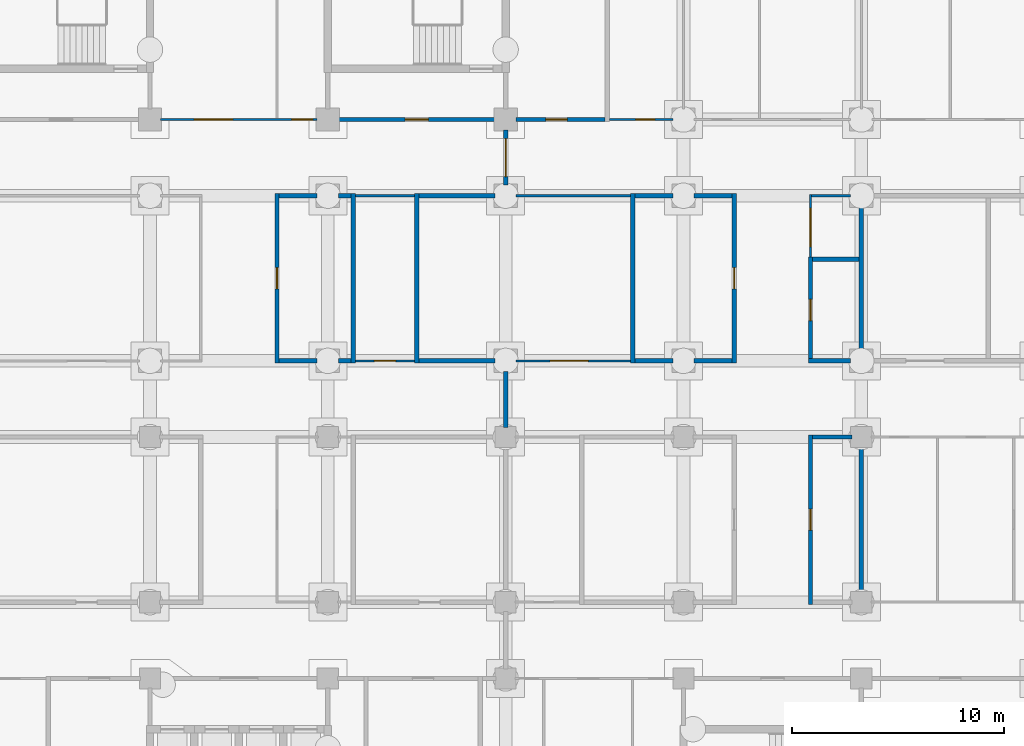
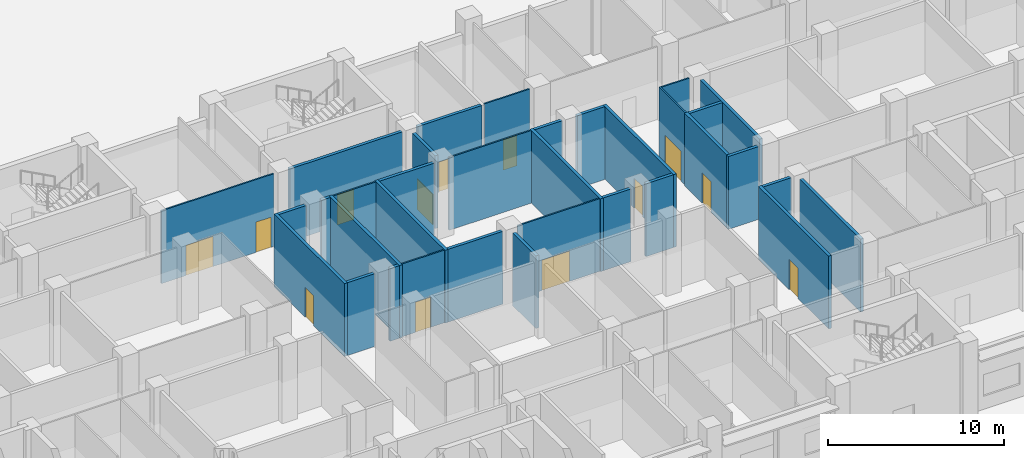
# One storey, part 73 of 146: 34 walls, 13 doors, 13 openings.
"""IFC4 building model written with IfcOpenShell, lengths in metres."""

from ifc_helpers import new_model, si_unit, direction, frame, frame_2d, origin, place, context, subcontext, project, spatial, rectangle, extrude, material, layer, layer_set, type_object, element, fill, save


model = new_model("IFC4")

# Units and contexts
model_context = context("Model", 3, precision=1e-05, world=origin(), true_north=direction((0.0, 1.0)))
body_context = subcontext(model_context, "Body", "Model", "MODEL_VIEW")
ifc_project = project(units=[si_unit("LENGTHUNIT", "METRE"), si_unit("AREAUNIT", "SQUARE_METRE"), si_unit("VOLUMEUNIT", "CUBIC_METRE"), si_unit("PLANEANGLEUNIT", "RADIAN"), si_unit("MASSUNIT", "GRAM", prefix="KILO")], contexts=[model_context])

# Site, building, storey
site_placement = place(None, origin())
site = spatial("IfcSite", under=ifc_project, at=site_placement, CompositionType="ELEMENT")
building_placement = place(site_placement, origin())
building = spatial("IfcBuilding", under=site, at=building_placement, Name="Bougainvillea Quay General Hospital", CompositionType="ELEMENT")
storey_placement = place(building_placement, origin())
storey = spatial("IfcBuildingStorey", under=building, at=storey_placement, Name="L00", CompositionType="ELEMENT", Elevation=0.0)

# Wall, opening, door
ifc_material_1 = material(Name="Gypsum board partition on steel studs", Category="steel")
ifc_layer_1 = layer(ifc_material_1, 0.10009765625)
ifc_layer_set_1 = layer_set([ifc_layer_1], Name="Gypsum board partition on steel studs")
wall_type_1 = type_object("IfcWallType", Name="Partition 100 Gypsum board partition", PredefinedType="PARTITIONING", material=ifc_layer_set_1)
wall_1_placement = place(storey_placement, frame((117.10009765625, 151.800048828125, 0.0), z_axis=(0.0, 0.0, 1.0), x_axis=(-1.0, 0.0, 0.0)))
wall_1 = element("IfcWall", 1, at=wall_1_placement, inside=storey, type_object=wall_type_1, Name="Partition 100 mm", PredefinedType="PARTITIONING", context=body_context, shape_type="SweptSolid", body=[
    extrude(rectangle(XDim=3.002197265625, YDim=0.10009765625, at=frame_2d((1.5009765625, 0.0))), origin(), (0.0, 0.0, 1.0), 5.050048828125),
])
opening_1_placement = place(wall_1_placement, frame((0.85205078125, 0.0, 0.0)))
opening_1 = element("IfcOpeningElement", 2, at=opening_1_placement, cuts=wall_1, Name="Opening L00.186", PredefinedType="OPENING", context=body_context, shape_type="SweptSolid", body=[
    extrude(rectangle(XDim=0.89990234375, YDim=2.10009765625, at=frame_2d((0.449951171875, 1.050048828125))), frame((0.0, 0.06005859375, 0.0), z_axis=(0.0, -1.0, 0.0), x_axis=(1.0, 0.0, 0.0)), (0.0, 0.0, 1.0), 0.1201171875),
])
ifc_material_2 = material(Name="Solid-core timber door leaf in steel frame", Category="steel")
door_type_1 = type_object("IfcDoorType", Name="Single leaf door 900x2100", OperationType="NOTDEFINED", PredefinedType="DOOR", material=ifc_material_2)
door_1_placement = place(opening_1_placement, frame((0.89990234375, 0.0, 0.0), z_axis=(0.0, 0.0, 1.0), x_axis=(-1.0, 0.0, 0.0)))
door_1 = element("IfcDoor", 3, at=door_1_placement, inside=storey, type_object=door_type_1, Name="DT07 L00.186", OperationType="SINGLE_SWING_RIGHT", OverallHeight=2.10009765625, OverallWidth=0.89990234375, PredefinedType="DOOR", context=body_context, shape_type="SweptSolid", body=[
    extrude(rectangle(XDim=0.89990234375, YDim=2.10009765625, at=frame_2d((0.449951171875, 1.050048828125))), frame((0.0, 0.02490234375, 0.0), z_axis=(0.0, -1.0, 0.0), x_axis=(1.0, 0.0, 0.0)), (0.0, 0.0, 1.0), 0.050048828125),
])
fill(opening_1, door_1)

# Wall, openings, doors
wall_2_placement = place(storey_placement, frame((92.89990234375, 151.800048828125, 0.0), z_axis=(0.0, 0.0, 1.0), x_axis=(1.0, 0.0, 0.0)))
wall_2 = element("IfcWall", 4, at=wall_2_placement, inside=storey, type_object=wall_type_1, Name="Partition 100 mm", PredefinedType="PARTITIONING", context=body_context, shape_type="SweptSolid", body=[
    extrude(rectangle(XDim=7.400146484375, YDim=0.10009765625, at=frame_2d((3.7001953125, 0.0))), origin(), (0.0, 0.0, 1.0), 5.050048828125),
])
opening_2_placement = place(wall_2_placement, frame((1.59912109375, 0.0, 0.0)))
opening_2 = element("IfcOpeningElement", 5, at=opening_2_placement, cuts=wall_2, Name="Opening L00.183", PredefinedType="OPENING", context=body_context, shape_type="SweptSolid", body=[
    extrude(rectangle(XDim=1.800048828125, YDim=2.10009765625, at=frame_2d((0.89990234375, 1.050048828125))), frame((0.0, 0.06005859375, 0.0), z_axis=(0.0, -1.0, 0.0), x_axis=(1.0, 0.0, 0.0)), (0.0, 0.0, 1.0), 0.1201171875),
])
opening_3_placement = place(wall_2_placement, frame((6.198974609375, 0.0, 0.0)))
opening_3 = element("IfcOpeningElement", 6, at=opening_3_placement, cuts=wall_2, Name="Opening L00.184", PredefinedType="OPENING", context=body_context, shape_type="SweptSolid", body=[
    extrude(rectangle(XDim=1.0, YDim=2.10009765625, at=frame_2d((0.5, 1.050048828125))), frame((0.0, 0.06005859375, 0.0), z_axis=(0.0, -1.0, 0.0), x_axis=(1.0, 0.0, 0.0)), (0.0, 0.0, 1.0), 0.1201171875),
])
ifc_material_3 = material(Name="Solid-core timber door leaves in steel frame", Category="steel")
door_type_2 = type_object("IfcDoorType", Name="Double leaf door 1800x2100", OperationType="DOUBLE_DOOR_SINGLE_SWING", PredefinedType="DOOR", material=ifc_material_3)
door_2_placement = place(opening_2_placement, origin())
door_2 = element("IfcDoor", 7, at=door_2_placement, inside=storey, type_object=door_type_2, Name="DT08 L00.183", OperationType="DOUBLE_DOOR_SINGLE_SWING", OverallHeight=2.10009765625, OverallWidth=1.800048828125, PredefinedType="DOOR", context=body_context, shape_type="SweptSolid", body=[
    extrude(rectangle(XDim=1.800048828125, YDim=2.10009765625, at=frame_2d((0.89990234375, 1.050048828125))), frame((0.0, 0.02490234375, 0.0), z_axis=(0.0, -1.0, 0.0), x_axis=(1.0, 0.0, 0.0)), (0.0, 0.0, 1.0), 0.050048828125),
])
fill(opening_2, door_2)
door_type_3 = type_object("IfcDoorType", Name="Single leaf door 1000x2100", OperationType="NOTDEFINED", PredefinedType="DOOR", material=ifc_material_2)
door_3_placement = place(opening_3_placement, origin())
door_3 = element("IfcDoor", 8, at=door_3_placement, inside=storey, type_object=door_type_3, Name="DT06 L00.184", OperationType="SINGLE_SWING_RIGHT", OverallHeight=2.10009765625, OverallWidth=1.0, PredefinedType="DOOR", context=body_context, shape_type="SweptSolid", body=[
    extrude(rectangle(XDim=1.0, YDim=2.10009765625, at=frame_2d((0.5, 1.050048828125))), frame((0.0, 0.02490234375, 0.0), z_axis=(0.0, -1.0, 0.0), x_axis=(1.0, 0.0, 0.0)), (0.0, 0.0, 1.0), 0.050048828125),
])
fill(opening_3, door_3)

# Wall, opening, door
wall_3_placement = place(storey_placement, frame((109.699951171875, 140.39990234375, 0.0), z_axis=(0.0, 0.0, 1.0), x_axis=(1.0, 0.0, 0.0)))
wall_3 = element("IfcWall", 9, at=wall_3_placement, inside=storey, type_object=wall_type_1, Name="Partition 100 mm", PredefinedType="PARTITIONING", context=body_context, shape_type="SweptSolid", body=[
    extrude(rectangle(XDim=5.400146484375, YDim=0.10009765625, at=frame_2d((2.7001953125, 0.0))), origin(), (0.0, 0.0, 1.0), 5.050048828125),
])
opening_4_placement = place(wall_3_placement, frame((1.60009765625, 0.0, 0.0)))
opening_4 = element("IfcOpeningElement", 10, at=opening_4_placement, cuts=wall_3, Name="Opening L00.191", PredefinedType="OPENING", context=body_context, shape_type="SweptSolid", body=[
    extrude(rectangle(XDim=1.800048828125, YDim=2.10009765625, at=frame_2d((0.89990234375, 1.050048828125))), frame((0.0, 0.06005859375, 0.0), z_axis=(0.0, -1.0, 0.0), x_axis=(1.0, 0.0, 0.0)), (0.0, 0.0, 1.0), 0.1201171875),
])
door_4_placement = place(opening_4_placement, origin())
door_4 = element("IfcDoor", 11, at=door_4_placement, inside=storey, type_object=door_type_2, Name="DT08 L00.191", OperationType="DOUBLE_DOOR_SINGLE_SWING", OverallHeight=2.10009765625, OverallWidth=1.800048828125, PredefinedType="DOOR", context=body_context, shape_type="SweptSolid", body=[
    extrude(rectangle(XDim=1.800048828125, YDim=2.10009765625, at=frame_2d((0.89990234375, 1.050048828125))), frame((0.0, 0.02490234375, 0.0), z_axis=(0.0, -1.0, 0.0), x_axis=(1.0, 0.0, 0.0)), (0.0, 0.0, 1.0), 0.050048828125),
])
fill(opening_4, door_4)

# Wall
wall_4_placement = place(storey_placement, frame((109.699951171875, 148.199951171875, 0.0), z_axis=(0.0, 0.0, 1.0), x_axis=(1.0, 0.0, 0.0)))
element("IfcWall", 12, at=wall_4_placement, inside=storey, type_object=wall_type_1, Name="Partition 100 mm", PredefinedType="PARTITIONING", context=body_context, shape_type="SweptSolid", body=[
    extrude(rectangle(XDim=5.400146484375, YDim=0.10009765625, at=frame_2d((2.7001953125, 0.0))), origin(), (0.0, 0.0, 1.0), 5.050048828125),
])

# Wall, opening, door
wall_5_placement = place(storey_placement, frame((102.10009765625, 140.39990234375, 0.0), z_axis=(0.0, 0.0, 1.0), x_axis=(1.0, 0.0, 0.0)))
wall_5 = element("IfcWall", 13, at=wall_5_placement, inside=storey, type_object=wall_type_1, Name="Partition 100 mm", PredefinedType="PARTITIONING", context=body_context, shape_type="SweptSolid", body=[
    extrude(rectangle(XDim=2.7998046875, YDim=0.10009765625, at=frame_2d((1.39990234375, 0.0))), origin(), (0.0, 0.0, 1.0), 5.050048828125),
])
opening_5_placement = place(wall_5_placement, frame((0.89990234375, 0.0, 0.0)))
opening_5 = element("IfcOpeningElement", 14, at=opening_5_placement, cuts=wall_5, Name="Opening L00.190", PredefinedType="OPENING", context=body_context, shape_type="SweptSolid", body=[
    extrude(rectangle(XDim=1.0, YDim=2.10009765625, at=frame_2d((0.5, 1.050048828125))), frame((0.0, 0.06005859375, 0.0), z_axis=(0.0, -1.0, 0.0), x_axis=(1.0, 0.0, 0.0)), (0.0, 0.0, 1.0), 0.1201171875),
])
door_5_placement = place(opening_5_placement, origin())
door_5 = element("IfcDoor", 15, at=door_5_placement, inside=storey, type_object=door_type_3, Name="DT06 L00.190", OperationType="SINGLE_SWING_LEFT", OverallHeight=2.10009765625, OverallWidth=1.0, PredefinedType="DOOR", context=body_context, shape_type="SweptSolid", body=[
    extrude(rectangle(XDim=1.0, YDim=2.10009765625, at=frame_2d((0.5, 1.050048828125))), frame((0.0, 0.02490234375, 0.0), z_axis=(0.0, -1.0, 0.0), x_axis=(1.0, 0.0, 0.0)), (0.0, 0.0, 1.0), 0.050048828125),
])
fill(opening_5, door_5)

# Wall
wall_6_placement = place(storey_placement, frame((102.10009765625, 148.199951171875, 0.0), z_axis=(0.0, 0.0, 1.0), x_axis=(1.0, 0.0, 0.0)))
element("IfcWall", 16, at=wall_6_placement, inside=storey, type_object=wall_type_1, Name="Partition 100 mm", PredefinedType="PARTITIONING", context=body_context, shape_type="SweptSolid", body=[
    extrude(rectangle(XDim=2.7998046875, YDim=0.10009765625, at=frame_2d((1.39990234375, 0.0))), origin(), (0.0, 0.0, 1.0), 5.050048828125),
])

# Wall, opening, door
wall_7_placement = place(storey_placement, frame((123.60009765625, 145.300048828125, 0.0), z_axis=(0.0, 0.0, 1.0), x_axis=(0.0, 1.0, 0.0)))
wall_7 = element("IfcWall", 17, at=wall_7_placement, inside=storey, type_object=wall_type_1, Name="Partition 100 mm", PredefinedType="PARTITIONING", context=body_context, shape_type="SweptSolid", body=[
    extrude(rectangle(XDim=2.949951171875, YDim=0.10009765625, at=frame_2d((1.47509765625, 0.0))), origin(), (0.0, 0.0, 1.0), 5.050048828125),
])
opening_6_placement = place(wall_7_placement, frame((0.5, 0.0, 0.0)))
opening_6 = element("IfcOpeningElement", 18, at=opening_6_placement, cuts=wall_7, Name="Opening L00.194", PredefinedType="OPENING", context=body_context, shape_type="SweptSolid", body=[
    extrude(rectangle(XDim=1.800048828125, YDim=2.10009765625, at=frame_2d((0.89990234375, 1.050048828125))), frame((0.0, 0.06005859375, 0.0), z_axis=(0.0, -1.0, 0.0), x_axis=(1.0, 0.0, 0.0)), (0.0, 0.0, 1.0), 0.1201171875),
])
door_6_placement = place(opening_6_placement, frame((1.800048828125, 0.0, 0.0), z_axis=(0.0, 0.0, 1.0), x_axis=(-1.0, 0.0, 0.0)))
door_6 = element("IfcDoor", 19, at=door_6_placement, inside=storey, type_object=door_type_2, Name="DT08 L00.194", OperationType="DOUBLE_DOOR_SINGLE_SWING", OverallHeight=2.10009765625, OverallWidth=1.800048828125, PredefinedType="DOOR", context=body_context, shape_type="SweptSolid", body=[
    extrude(rectangle(XDim=1.800048828125, YDim=2.10009765625, at=frame_2d((0.89990234375, 1.050048828125))), frame((0.0, 0.02490234375, 0.0), z_axis=(0.0, -1.0, 0.0), x_axis=(1.0, 0.0, 0.0)), (0.0, 0.0, 1.0), 0.050048828125),
])
fill(opening_6, door_6)

# Wall
wall_8_placement = place(storey_placement, frame((123.64990234375, 148.199951171875, 0.0), z_axis=(0.0, 0.0, 1.0), x_axis=(1.0, 0.0, 0.0)))
element("IfcWall", 20, at=wall_8_placement, inside=storey, type_object=wall_type_1, Name="Partition 100 mm", PredefinedType="PARTITIONING", context=body_context, shape_type="SweptSolid", body=[
    extrude(rectangle(XDim=1.85009765625, YDim=0.10009765625, at=frame_2d((0.925048828125, 0.0))), origin(), (0.0, 0.0, 1.0), 5.050048828125),
])

# Wall, opening, door
ifc_material_4 = material(Name="Autoclaved aerated block wall, plastered")
ifc_layer_2 = layer(ifc_material_4, 0.199951171875)
ifc_layer_set_2 = layer_set([ifc_layer_2], Name="Autoclaved aerated block wall, plastered")
wall_type_2 = type_object("IfcWallType", Name="Partition 200 Autoclaved aerated block wall", PredefinedType="SOLIDWALL", material=ifc_layer_set_2)
wall_9_placement = place(storey_placement, frame((123.60009765625, 128.89990234375, 0.0), z_axis=(0.0, 0.0, 1.0), x_axis=(0.0, 1.0, 0.0)))
wall_9 = element("IfcWall", 21, at=wall_9_placement, inside=storey, type_object=wall_type_2, Name="Partition 200 mm", PredefinedType="SOLIDWALL", context=body_context, shape_type="SweptSolid", body=[
    extrude(rectangle(XDim=8.0, YDim=0.199951171875, at=frame_2d((4.0, 0.0))), origin(), (0.0, 0.0, 1.0), 5.050048828125),
])
opening_7_placement = place(wall_9_placement, frame((3.5, 0.0, 0.0)))
opening_7 = element("IfcOpeningElement", 22, at=opening_7_placement, cuts=wall_9, Name="Opening L00.151", PredefinedType="OPENING", context=body_context, shape_type="SweptSolid", body=[
    extrude(rectangle(XDim=1.0, YDim=2.10009765625, at=frame_2d((0.5, 1.050048828125))), frame((0.0, 0.10986328125, 0.0), z_axis=(0.0, -1.0, 0.0), x_axis=(1.0, 0.0, 0.0)), (0.0, 0.0, 1.0), 0.219970703125),
])
door_7_placement = place(opening_7_placement, frame((1.0, 0.0, 0.0), z_axis=(0.0, 0.0, 1.0), x_axis=(-1.0, 0.0, 0.0)))
door_7 = element("IfcDoor", 23, at=door_7_placement, inside=storey, type_object=door_type_3, Name="DT06 L00.151", OperationType="SINGLE_SWING_RIGHT", OverallHeight=2.10009765625, OverallWidth=1.0, PredefinedType="DOOR", context=body_context, shape_type="SweptSolid", body=[
    extrude(rectangle(XDim=1.0, YDim=2.10009765625, at=frame_2d((0.5, 1.050048828125))), frame((0.0, 0.02490234375, 0.0), z_axis=(0.0, -1.0, 0.0), x_axis=(1.0, 0.0, 0.0)), (0.0, 0.0, 1.0), 0.050048828125),
])
fill(opening_7, door_7)

# Walls
wall_10_placement = place(storey_placement, frame((126.0, 129.449951171875, 0.0), z_axis=(0.0, 0.0, 1.0), x_axis=(0.0, 1.0, 0.0)))
element("IfcWall", 24, at=wall_10_placement, inside=storey, type_object=wall_type_2, Name="Partition 200 mm", PredefinedType="SOLIDWALL", context=body_context, shape_type="SweptSolid", body=[
    extrude(rectangle(XDim=6.900146484375, YDim=0.199951171875, at=frame_2d((3.4501953125, 0.0))), origin(), (0.0, 0.0, 1.0), 5.050048828125),
])
wall_11_placement = place(storey_placement, frame((123.699951171875, 136.800048828125, 0.0), z_axis=(0.0, 0.0, 1.0), x_axis=(1.0, 0.0, 0.0)))
element("IfcWall", 25, at=wall_11_placement, inside=storey, type_object=wall_type_2, Name="Partition 200 mm", PredefinedType="SOLIDWALL", context=body_context, shape_type="SweptSolid", body=[
    extrude(rectangle(XDim=1.85009765625, YDim=0.199951171875, at=frame_2d((0.925048828125, 0.0))), origin(), (0.0, 0.0, 1.0), 5.050048828125),
])
ifc_material_5 = material(Name="Fire-rated autoclaved aerated block wall, plastered")
ifc_layer_3 = layer(ifc_material_5, 0.199951171875)
ifc_layer_set_3 = layer_set([ifc_layer_3], Name="Fire-rated autoclaved aerated block wall, plastered")
wall_type_3 = type_object("IfcWallType", Name="Partition 200 Fire-rated autoclaved aerated block wall EI 120", PredefinedType="SOLIDWALL", material=ifc_layer_set_3)
wall_12_placement = place(storey_placement, frame((109.199951171875, 139.89990234375, 0.0), z_axis=(0.0, 0.0, 1.0), x_axis=(0.0, -1.0, 0.0)))
element("IfcWall", 26, at=wall_12_placement, inside=storey, type_object=wall_type_3, Name="Partition 200 mm EI 120", PredefinedType="SOLIDWALL", context=body_context, shape_type="SweptSolid", body=[
    extrude(rectangle(XDim=2.64990234375, YDim=0.199951171875, at=frame_2d((1.324951171875, 0.0))), origin(), (0.0, 0.0, 1.0), 5.050048828125),
])

# Wall, opening, door
wall_13_placement = place(storey_placement, frame((109.199951171875, 148.699951171875, 0.0), z_axis=(0.0, 0.0, 1.0), x_axis=(0.0, 1.0, 0.0)))
wall_13 = element("IfcWall", 27, at=wall_13_placement, inside=storey, type_object=wall_type_3, Name="Partition 200 mm EI 120", PredefinedType="SOLIDWALL", context=body_context, shape_type="SweptSolid", body=[
    extrude(rectangle(XDim=2.60009765625, YDim=0.199951171875, at=frame_2d((1.300048828125, 0.0))), origin(), (0.0, 0.0, 1.0), 5.050048828125),
])
opening_8_placement = place(wall_13_placement, frame((0.39990234375, 0.0, 0.0)))
opening_8 = element("IfcOpeningElement", 28, at=opening_8_placement, cuts=wall_13, Name="Opening L00.016", PredefinedType="OPENING", context=body_context, shape_type="SweptSolid", body=[
    extrude(rectangle(XDim=1.800048828125, YDim=2.10009765625, at=frame_2d((0.89990234375, 1.050048828125))), frame((0.0, 0.10986328125, 0.0), z_axis=(0.0, -1.0, 0.0), x_axis=(1.0, 0.0, 0.0)), (0.0, 0.0, 1.0), 0.219970703125),
])
ifc_material_6 = material(Name="Steel fire door leaves in steel frame", Category="steel")
door_type_4 = type_object("IfcDoorType", Name="Steel double leaf door 1800x2100 FD90", OperationType="DOUBLE_DOOR_SINGLE_SWING", PredefinedType="DOOR", material=ifc_material_6)
door_8_placement = place(opening_8_placement, origin())
door_8 = element("IfcDoor", 29, at=door_8_placement, inside=storey, type_object=door_type_4, Name="DT03 L00.016", OperationType="DOUBLE_DOOR_SINGLE_SWING", OverallHeight=2.10009765625, OverallWidth=1.800048828125, PredefinedType="DOOR", context=body_context, shape_type="SweptSolid", body=[
    extrude(rectangle(XDim=1.800048828125, YDim=2.10009765625, at=frame_2d((0.89990234375, 1.050048828125))), frame((0.0, 0.02490234375, 0.0), z_axis=(0.0, -1.0, 0.0), x_axis=(1.0, 0.0, 0.0)), (0.0, 0.0, 1.0), 0.050048828125),
])
fill(opening_8, door_8)

wall_14_placement = place(storey_placement, frame((101.300048828125, 151.800048828125, 0.0), z_axis=(0.0, 0.0, 1.0), x_axis=(1.0, 0.0, 0.0)))
wall_14 = element("IfcWall", 30, at=wall_14_placement, inside=storey, type_object=wall_type_3, Name="Partition 200 mm EI 120", PredefinedType="SOLIDWALL", context=body_context, shape_type="SweptSolid", body=[
    extrude(rectangle(XDim=7.39990234375, YDim=0.199951171875, at=frame_2d((3.699951171875, 0.0))), origin(), (0.0, 0.0, 1.0), 5.050048828125),
])
opening_9_placement = place(wall_14_placement, frame((3.14990234375, 0.0, 0.0)))
opening_9 = element("IfcOpeningElement", 31, at=opening_9_placement, cuts=wall_14, Name="Opening L00.044", PredefinedType="OPENING", context=body_context, shape_type="SweptSolid", body=[
    extrude(rectangle(XDim=1.10009765625, YDim=2.10009765625, at=frame_2d((0.550048828125, 1.050048828125))), frame((0.0, 0.10986328125, 0.0), z_axis=(0.0, -1.0, 0.0), x_axis=(1.0, 0.0, 0.0)), (0.0, 0.0, 1.0), 0.219970703125),
])
ifc_material_7 = material(Name="Steel fire door leaf in steel frame", Category="steel")
door_type_5 = type_object("IfcDoorType", Name="Steel single leaf door 1100x2100 FD60", OperationType="NOTDEFINED", PredefinedType="DOOR", material=ifc_material_7)
door_9_placement = place(opening_9_placement, origin())
door_9 = element("IfcDoor", 32, at=door_9_placement, inside=storey, type_object=door_type_5, Name="DT04 L00.044", OperationType="SINGLE_SWING_RIGHT", OverallHeight=2.10009765625, OverallWidth=1.10009765625, PredefinedType="DOOR", context=body_context, shape_type="SweptSolid", body=[
    extrude(rectangle(XDim=1.10009765625, YDim=2.10009765625, at=frame_2d((0.550048828125, 1.050048828125))), frame((0.0, 0.02490234375, 0.0), z_axis=(0.0, -1.0, 0.0), x_axis=(1.0, 0.0, 0.0)), (0.0, 0.0, 1.0), 0.050048828125),
])
fill(opening_9, door_9)

# Walls
wall_15_placement = place(storey_placement, frame((105.0, 140.300048828125, 0.0), z_axis=(0.0, 0.0, 1.0), x_axis=(0.0, 1.0, 0.0)))
element("IfcWall", 33, at=wall_15_placement, inside=storey, type_object=wall_type_3, Name="Partition 200 mm EI 120", PredefinedType="SOLIDWALL", context=body_context, shape_type="SweptSolid", body=[
    extrude(rectangle(XDim=8.0, YDim=0.199951171875, at=frame_2d((4.0, 0.0))), origin(), (0.0, 0.0, 1.0), 5.050048828125),
])
for number, where, z_axis, x_axis, name in (
    (34, (105.10009765625, 140.39990234375, 0.0), (0.0, 0.0, 1.0), (1.0, 0.0, 0.0), "Partition 200 mm EI 120"),
    (35, (105.10009765625, 148.199951171875, 0.0), (0.0, 0.0, 1.0), (1.0, 0.0, 0.0), "Partition 200 mm EI 120"),
):
    element("IfcWall", number, at=place(storey_placement, frame(where, z_axis=z_axis, x_axis=x_axis)), inside=storey, type_object=wall_type_3, Name=name, PredefinedType="SOLIDWALL", context=body_context, shape_type="SweptSolid", body=[
        extrude(rectangle(XDim=3.599853515625, YDim=0.199951171875, at=frame_2d((1.7998046875, 0.0))), origin(), (0.0, 0.0, 1.0), 5.050048828125),
    ])
ifc_layer_4 = layer(ifc_material_5, 0.199951171875)
ifc_layer_set_4 = layer_set([ifc_layer_4], Name="Fire-rated autoclaved aerated block wall, plastered")
wall_type_4 = type_object("IfcWallType", Name="Partition 200 Fire-rated autoclaved aerated block wall EI 60", PredefinedType="SOLIDWALL", material=ifc_layer_set_4)
wall_16_placement = place(storey_placement, frame((125.5, 140.39990234375, 0.0), z_axis=(0.0, 0.0, 1.0), x_axis=(-1.0, 0.0, 0.0)))
element("IfcWall", 36, at=wall_16_placement, inside=storey, type_object=wall_type_4, Name="Partition 200 mm EI 60", PredefinedType="SOLIDWALL", context=body_context, shape_type="SweptSolid", body=[
    extrude(rectangle(XDim=2.0, YDim=0.199951171875, at=frame_2d((1.0, 0.0))), origin(), (0.0, 0.0, 1.0), 5.050048828125),
])

# Wall, opening, door
wall_17_placement = place(storey_placement, frame((98.39990234375, 140.300048828125, 0.0), z_axis=(0.0, 0.0, 1.0), x_axis=(0.0, 1.0, 0.0)))
wall_17 = element("IfcWall", 37, at=wall_17_placement, inside=storey, type_object=wall_type_4, Name="Partition 200 mm EI 60", PredefinedType="SOLIDWALL", context=body_context, shape_type="SweptSolid", body=[
    extrude(rectangle(XDim=8.0, YDim=0.199951171875, at=frame_2d((4.0, 0.0))), origin(), (0.0, 0.0, 1.0), 5.050048828125),
])
opening_10_placement = place(wall_17_placement, frame((3.5, 0.0, 0.0)))
opening_10 = element("IfcOpeningElement", 38, at=opening_10_placement, cuts=wall_17, Name="Opening L00.189", PredefinedType="OPENING", context=body_context, shape_type="SweptSolid", body=[
    extrude(rectangle(XDim=1.0, YDim=2.10009765625, at=frame_2d((0.5, 1.050048828125))), frame((0.0, 0.10986328125, 0.0), z_axis=(0.0, -1.0, 0.0), x_axis=(1.0, 0.0, 0.0)), (0.0, 0.0, 1.0), 0.219970703125),
])
door_type_6 = type_object("IfcDoorType", Name="Steel single leaf door 1000x2100 FD60", OperationType="NOTDEFINED", PredefinedType="DOOR", material=ifc_material_7)
door_10_placement = place(opening_10_placement, frame((1.0, 0.0, 0.0), z_axis=(0.0, 0.0, 1.0), x_axis=(-1.0, 0.0, 0.0)))
door_10 = element("IfcDoor", 39, at=door_10_placement, inside=storey, type_object=door_type_6, Name="DT10 L00.189", OperationType="SINGLE_SWING_RIGHT", OverallHeight=2.10009765625, OverallWidth=1.0, PredefinedType="DOOR", context=body_context, shape_type="SweptSolid", body=[
    extrude(rectangle(XDim=1.0, YDim=2.10009765625, at=frame_2d((0.5, 1.050048828125))), frame((0.0, 0.02490234375, 0.0), z_axis=(0.0, -1.0, 0.0), x_axis=(1.0, 0.0, 0.0)), (0.0, 0.0, 1.0), 0.050048828125),
])
fill(opening_10, door_10)

# Walls
for number, where, z_axis, x_axis, name in (
    (40, (102.0, 140.300048828125, 0.0), (0.0, 0.0, 1.0), (0.0, 1.0, 0.0), "Partition 200 mm EI 60"),
    (41, (115.199951171875, 140.300048828125, 0.0), (0.0, 0.0, 1.0), (0.0, 1.0, 0.0), "Partition 200 mm EI 60"),
):
    element("IfcWall", number, at=place(storey_placement, frame(where, z_axis=z_axis, x_axis=x_axis)), inside=storey, type_object=wall_type_4, Name=name, PredefinedType="SOLIDWALL", context=body_context, shape_type="SweptSolid", body=[
        extrude(rectangle(XDim=8.0, YDim=0.199951171875, at=frame_2d((4.0, 0.0))), origin(), (0.0, 0.0, 1.0), 5.050048828125),
    ])

# Wall, opening, door
wall_18_placement = place(storey_placement, frame((120.0, 140.300048828125, 0.0), z_axis=(0.0, 0.0, 1.0), x_axis=(0.0, 1.0, 0.0)))
wall_18 = element("IfcWall", 42, at=wall_18_placement, inside=storey, type_object=wall_type_4, Name="Partition 200 mm EI 60", PredefinedType="SOLIDWALL", context=body_context, shape_type="SweptSolid", body=[
    extrude(rectangle(XDim=8.0, YDim=0.199951171875, at=frame_2d((4.0, 0.0))), origin(), (0.0, 0.0, 1.0), 5.050048828125),
])
opening_11_placement = place(wall_18_placement, frame((3.5, 0.0, 0.0)))
opening_11 = element("IfcOpeningElement", 43, at=opening_11_placement, cuts=wall_18, Name="Opening L00.192", PredefinedType="OPENING", context=body_context, shape_type="SweptSolid", body=[
    extrude(rectangle(XDim=1.0, YDim=2.10009765625, at=frame_2d((0.5, 1.050048828125))), frame((0.0, 0.10986328125, 0.0), z_axis=(0.0, -1.0, 0.0), x_axis=(1.0, 0.0, 0.0)), (0.0, 0.0, 1.0), 0.219970703125),
])
door_11_placement = place(opening_11_placement, origin())
door_11 = element("IfcDoor", 44, at=door_11_placement, inside=storey, type_object=door_type_6, Name="DT10 L00.192", OperationType="SINGLE_SWING_LEFT", OverallHeight=2.10009765625, OverallWidth=1.0, PredefinedType="DOOR", context=body_context, shape_type="SweptSolid", body=[
    extrude(rectangle(XDim=1.0, YDim=2.10009765625, at=frame_2d((0.5, 1.050048828125))), frame((0.0, 0.02490234375, 0.0), z_axis=(0.0, -1.0, 0.0), x_axis=(1.0, 0.0, 0.0)), (0.0, 0.0, 1.0), 0.050048828125),
])
fill(opening_11, door_11)

# Walls
wall_19_placement = place(storey_placement, frame((126.0, 140.89990234375, 0.0), z_axis=(0.0, 0.0, 1.0), x_axis=(0.0, 1.0, 0.0)))
element("IfcWall", 45, at=wall_19_placement, inside=storey, type_object=wall_type_4, Name="Partition 200 mm EI 60", PredefinedType="SOLIDWALL", context=body_context, shape_type="SweptSolid", body=[
    extrude(rectangle(XDim=6.800048828125, YDim=0.199951171875, at=frame_2d((3.39990234375, 0.0))), origin(), (0.0, 0.0, 1.0), 5.050048828125),
])
wall_20_placement = place(storey_placement, frame((115.300048828125, 140.39990234375, 0.0), z_axis=(0.0, 0.0, 1.0), x_axis=(1.0, 0.0, 0.0)))
element("IfcWall", 46, at=wall_20_placement, inside=storey, type_object=wall_type_4, Name="Partition 200 mm EI 60", PredefinedType="SOLIDWALL", context=body_context, shape_type="SweptSolid", body=[
    extrude(rectangle(XDim=1.800048828125, YDim=0.199951171875, at=frame_2d((0.89990234375, 0.0))), origin(), (0.0, 0.0, 1.0), 5.050048828125),
])
wall_21_placement = place(storey_placement, frame((118.10009765625, 140.39990234375, 0.0), z_axis=(0.0, 0.0, 1.0), x_axis=(1.0, 0.0, 0.0)))
element("IfcWall", 47, at=wall_21_placement, inside=storey, type_object=wall_type_4, Name="Partition 200 mm EI 60", PredefinedType="SOLIDWALL", context=body_context, shape_type="SweptSolid", body=[
    extrude(rectangle(XDim=1.7998046875, YDim=0.199951171875, at=frame_2d((0.89990234375, 0.0))), origin(), (0.0, 0.0, 1.0), 5.050048828125),
])
wall_22_placement = place(storey_placement, frame((115.300048828125, 148.199951171875, 0.0), z_axis=(0.0, 0.0, 1.0), x_axis=(1.0, 0.0, 0.0)))
element("IfcWall", 48, at=wall_22_placement, inside=storey, type_object=wall_type_4, Name="Partition 200 mm EI 60", PredefinedType="SOLIDWALL", context=body_context, shape_type="SweptSolid", body=[
    extrude(rectangle(XDim=1.800048828125, YDim=0.199951171875, at=frame_2d((0.89990234375, 0.0))), origin(), (0.0, 0.0, 1.0), 5.050048828125),
])
wall_23_placement = place(storey_placement, frame((118.10009765625, 148.199951171875, 0.0), z_axis=(0.0, 0.0, 1.0), x_axis=(1.0, 0.0, 0.0)))
element("IfcWall", 49, at=wall_23_placement, inside=storey, type_object=wall_type_4, Name="Partition 200 mm EI 60", PredefinedType="SOLIDWALL", context=body_context, shape_type="SweptSolid", body=[
    extrude(rectangle(XDim=1.7998046875, YDim=0.199951171875, at=frame_2d((0.89990234375, 0.0))), origin(), (0.0, 0.0, 1.0), 5.050048828125),
])

# Wall, opening, door
wall_24_placement = place(storey_placement, frame((123.60009765625, 140.5, 0.0), z_axis=(0.0, 0.0, 1.0), x_axis=(0.0, 1.0, 0.0)))
wall_24 = element("IfcWall", 50, at=wall_24_placement, inside=storey, type_object=wall_type_4, Name="Partition 200 mm EI 60", PredefinedType="SOLIDWALL", context=body_context, shape_type="SweptSolid", body=[
    extrude(rectangle(XDim=4.800048828125, YDim=0.199951171875, at=frame_2d((2.39990234375, 0.0))), origin(), (0.0, 0.0, 1.0), 5.050048828125),
])
opening_12_placement = place(wall_24_placement, frame((1.800048828125, 0.0, 0.0)))
opening_12 = element("IfcOpeningElement", 51, at=opening_12_placement, cuts=wall_24, Name="Opening L00.193", PredefinedType="OPENING", context=body_context, shape_type="SweptSolid", body=[
    extrude(rectangle(XDim=1.0, YDim=2.10009765625, at=frame_2d((0.5, 1.050048828125))), frame((0.0, 0.10986328125, 0.0), z_axis=(0.0, -1.0, 0.0), x_axis=(1.0, 0.0, 0.0)), (0.0, 0.0, 1.0), 0.219970703125),
])
door_12_placement = place(opening_12_placement, frame((1.0, 0.0, 0.0), z_axis=(0.0, 0.0, 1.0), x_axis=(-1.0, 0.0, 0.0)))
door_12 = element("IfcDoor", 52, at=door_12_placement, inside=storey, type_object=door_type_6, Name="DT10 L00.193", OperationType="SINGLE_SWING_RIGHT", OverallHeight=2.10009765625, OverallWidth=1.0, PredefinedType="DOOR", context=body_context, shape_type="SweptSolid", body=[
    extrude(rectangle(XDim=1.0, YDim=2.10009765625, at=frame_2d((0.5, 1.050048828125))), frame((0.0, 0.02490234375, 0.0), z_axis=(0.0, -1.0, 0.0), x_axis=(1.0, 0.0, 0.0)), (0.0, 0.0, 1.0), 0.050048828125),
])
fill(opening_12, door_12)

wall_25_placement = place(storey_placement, frame((109.699951171875, 151.800048828125, 0.0), z_axis=(0.0, 0.0, 1.0), x_axis=(1.0, 0.0, 0.0)))
wall_25 = element("IfcWall", 53, at=wall_25_placement, inside=storey, type_object=wall_type_4, Name="Partition 200 mm EI 60", PredefinedType="SOLIDWALL", context=body_context, shape_type="SweptSolid", body=[
    extrude(rectangle(XDim=4.197998046875, YDim=0.199951171875, at=frame_2d((2.09912109375, 0.0))), origin(), (0.0, 0.0, 1.0), 5.050048828125),
])
opening_13_placement = place(wall_25_placement, frame((1.39892578125, 0.0, 0.0)))
opening_13 = element("IfcOpeningElement", 54, at=opening_13_placement, cuts=wall_25, Name="Opening L00.185", PredefinedType="OPENING", context=body_context, shape_type="SweptSolid", body=[
    extrude(rectangle(XDim=1.0, YDim=2.10009765625, at=frame_2d((0.5, 1.050048828125))), frame((0.0, 0.10986328125, 0.0), z_axis=(0.0, -1.0, 0.0), x_axis=(1.0, 0.0, 0.0)), (0.0, 0.0, 1.0), 0.219970703125),
])
door_13_placement = place(opening_13_placement, origin())
door_13 = element("IfcDoor", 55, at=door_13_placement, inside=storey, type_object=door_type_6, Name="DT10 L00.185", OperationType="SINGLE_SWING_LEFT", OverallHeight=2.10009765625, OverallWidth=1.0, PredefinedType="DOOR", context=body_context, shape_type="SweptSolid", body=[
    extrude(rectangle(XDim=1.0, YDim=2.10009765625, at=frame_2d((0.5, 1.050048828125))), frame((0.0, 0.02490234375, 0.0), z_axis=(0.0, -1.0, 0.0), x_axis=(1.0, 0.0, 0.0)), (0.0, 0.0, 1.0), 0.050048828125),
])
fill(opening_13, door_13)

# Walls
wall_26_placement = place(storey_placement, frame((98.5, 140.39990234375, 0.0), z_axis=(0.0, 0.0, 1.0), x_axis=(1.0, 0.0, 0.0)))
element("IfcWall", 56, at=wall_26_placement, inside=storey, type_object=wall_type_4, Name="Partition 200 mm EI 60", PredefinedType="SOLIDWALL", context=body_context, shape_type="SweptSolid", body=[
    extrude(rectangle(XDim=1.800048828125, YDim=0.199951171875, at=frame_2d((0.89990234375, 0.0))), origin(), (0.0, 0.0, 1.0), 5.050048828125),
])
wall_27_placement = place(storey_placement, frame((101.300048828125, 140.39990234375, 0.0), z_axis=(0.0, 0.0, 1.0), x_axis=(1.0, 0.0, 0.0)))
element("IfcWall", 57, at=wall_27_placement, inside=storey, type_object=wall_type_4, Name="Partition 200 mm EI 60", PredefinedType="SOLIDWALL", context=body_context, shape_type="SweptSolid", body=[
    extrude(rectangle(XDim=0.599853515625, YDim=0.199951171875, at=frame_2d((0.2998046875, 0.0))), origin(), (0.0, 0.0, 1.0), 5.050048828125),
])
wall_28_placement = place(storey_placement, frame((98.5, 148.199951171875, 0.0), z_axis=(0.0, 0.0, 1.0), x_axis=(1.0, 0.0, 0.0)))
element("IfcWall", 58, at=wall_28_placement, inside=storey, type_object=wall_type_4, Name="Partition 200 mm EI 60", PredefinedType="SOLIDWALL", context=body_context, shape_type="SweptSolid", body=[
    extrude(rectangle(XDim=1.800048828125, YDim=0.199951171875, at=frame_2d((0.89990234375, 0.0))), origin(), (0.0, 0.0, 1.0), 5.050048828125),
])
wall_29_placement = place(storey_placement, frame((101.300048828125, 148.199951171875, 0.0), z_axis=(0.0, 0.0, 1.0), x_axis=(1.0, 0.0, 0.0)))
element("IfcWall", 59, at=wall_29_placement, inside=storey, type_object=wall_type_4, Name="Partition 200 mm EI 60", PredefinedType="SOLIDWALL", context=body_context, shape_type="SweptSolid", body=[
    extrude(rectangle(XDim=0.599853515625, YDim=0.199951171875, at=frame_2d((0.2998046875, 0.0))), origin(), (0.0, 0.0, 1.0), 5.050048828125),
])
wall_30_placement = place(storey_placement, frame((123.699951171875, 145.199951171875, 0.0), z_axis=(0.0, 0.0, 1.0), x_axis=(1.0, 0.0, 0.0)))
element("IfcWall", 60, at=wall_30_placement, inside=storey, type_object=wall_type_4, Name="Partition 200 mm EI 60", PredefinedType="SOLIDWALL", context=body_context, shape_type="SweptSolid", body=[
    extrude(rectangle(XDim=2.199951171875, YDim=0.199951171875, at=frame_2d((1.10009765625, 0.0))), origin(), (0.0, 0.0, 1.0), 5.050048828125),
])

save(model, "model.ifc")
